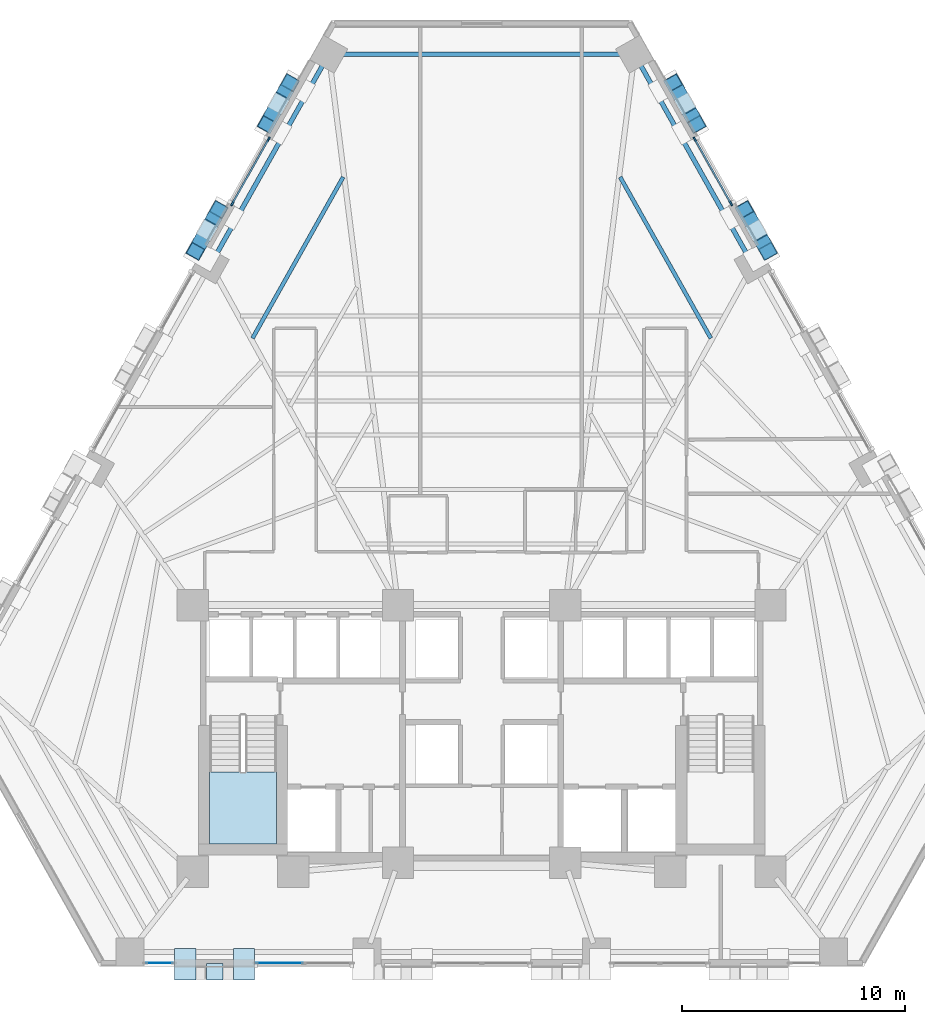
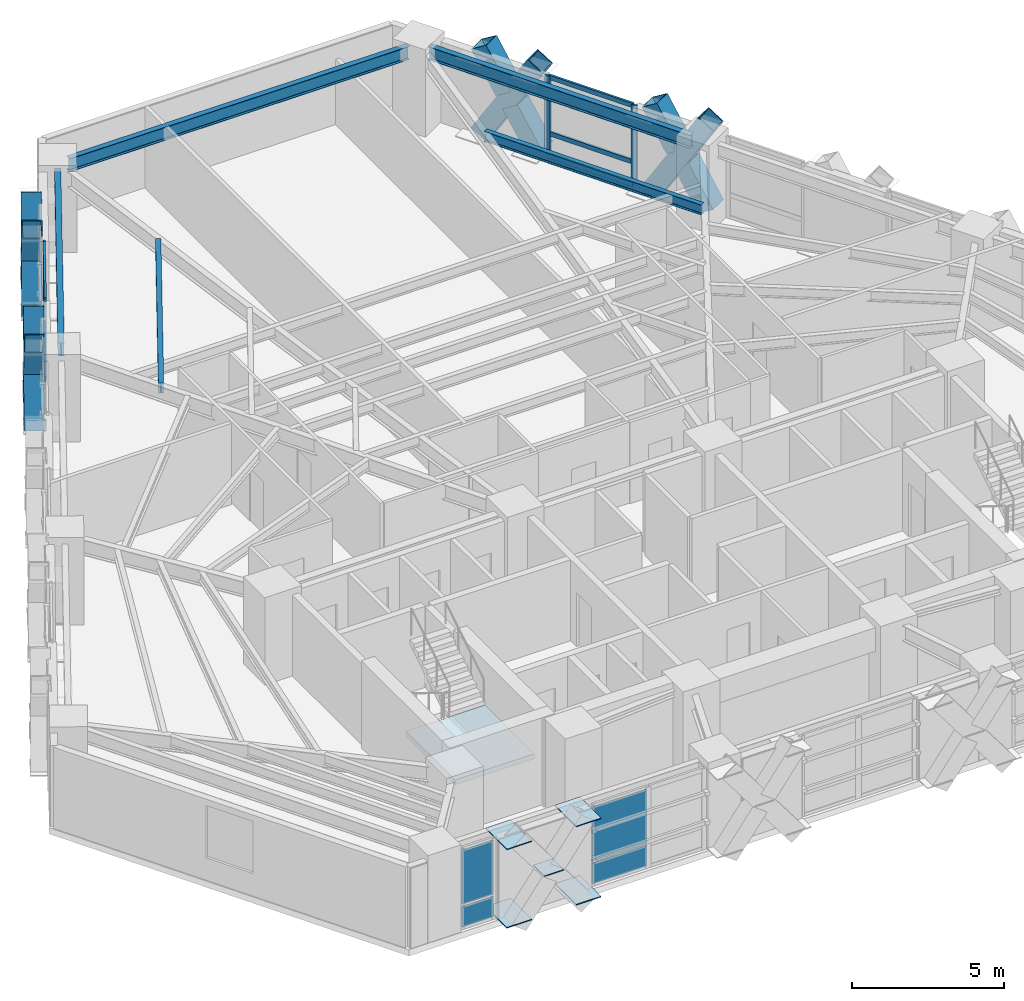
# One storey, part 5 of 13: 22 members, 9 plates, 5 beams, 1 slab, 5 elements without a shape of their own.
"""IFC4 building model written with IfcOpenShell, lengths in metres."""

from ifc_helpers import new_model, si_unit, direction, frame, origin, origin_2d, place, context, subcontext, project, spatial, polyline, rectangle, hollow_rectangle, i_section, outline, extrude, material, layer, layer_set, material_profile, profile_set, type_object, element, aggregate, save


model = new_model("IFC4")

# Units and contexts
model_context = context("Model", 3, precision=1e-05, world=origin(), true_north=direction((0.0, 1.0)))
body_context = subcontext(model_context, "Body", "Model", "MODEL_VIEW")
ifc_project = project(units=[si_unit("LENGTHUNIT", "METRE"), si_unit("AREAUNIT", "SQUARE_METRE"), si_unit("VOLUMEUNIT", "CUBIC_METRE"), si_unit("PLANEANGLEUNIT", "RADIAN"), si_unit("MASSUNIT", "GRAM", prefix="KILO")], contexts=[model_context])

# Site, building, storey
site_placement = place(None, origin())
site = spatial("IfcSite", under=ifc_project, at=site_placement, CompositionType="ELEMENT")
building_placement = place(site_placement, origin())
building = spatial("IfcBuilding", under=site, at=building_placement, Name="Quenlor Broadcast Tower", CompositionType="ELEMENT")
storey_placement = place(building_placement, frame((0.0, 0.0, 62.60009765625)))
storey = spatial("IfcBuildingStorey", under=building, at=storey_placement, Name="L16", CompositionType="ELEMENT", Elevation=62.60009765625)

# Curtain wall, members
ifc_material_1 = material(Name="Architectural Terracotta and Low-E Glazing", Category="masonry")
curtain_wall_type = type_object("IfcCurtainWallType", Name="Unitised Terracotta Curtain Wall System Z1", PredefinedType="NOTDEFINED", material=ifc_material_1)
curtain_wall_1_placement = place(storey_placement, origin())
curtain_wall_1 = element("IfcCurtainWall", 1, at=curtain_wall_1_placement, inside=storey, type_object=curtain_wall_type, Name="L16 Curtain Wall CW1 (L16-NEA-G1)", PredefinedType="NOTDEFINED")
ifc_material_2 = material(Name="Aluminium 6063-T6", Category="aluminium")
ifc_material_profile_1 = material_profile(ifc_material_2, rectangle(XDim=0.080078125, YDim=0.219970703125, at=origin_2d()))
ifc_profile_set_1 = profile_set([ifc_material_profile_1], Name="Aluminium 6063-T6 MULL80x220")
member_type_1 = type_object("IfcMemberType", Name="CW1 Aluminium Mullion MULL_CW1", PredefinedType="MULLION", material=ifc_profile_set_1)
member_1_placement = place(storey_placement, frame((9.55615234375, 16.084716796875, 0.0), z_axis=(0.0, 0.0, 1.0), x_axis=(0.871585015751, 0.49024438836, 0.0)))
member_1 = element("IfcMember", 2, at=member_1_placement, type_object=member_type_1, Name="CW1 mullion 1", PredefinedType="MULLION", context=body_context, shape_type="SweptSolid", body=[
    extrude(rectangle(XDim=0.080078125, YDim=0.219970703125, at=origin_2d()), origin(), (0.0, 0.0, 1.0), 3.25),
])
member_2_placement = place(storey_placement, frame((11.174560546875, 13.207763671875, 0.0), z_axis=(0.0, 0.0, 1.0), x_axis=(0.871585015751, 0.49024438836, 0.0)))
member_2 = element("IfcMember", 3, at=member_2_placement, type_object=member_type_1, Name="CW1 mullion 2", PredefinedType="MULLION", context=body_context, shape_type="SweptSolid", body=[
    extrude(rectangle(XDim=0.080078125, YDim=0.219970703125, at=origin_2d()), origin(), (0.0, 0.0, 1.0), 3.25),
])

curtain_wall_2_placement = place(storey_placement, origin())
curtain_wall_2 = element("IfcCurtainWall", 4, at=curtain_wall_2_placement, inside=storey, type_object=curtain_wall_type, Name="L16 Curtain Wall CW1 (L16-NWC-G1)", PredefinedType="NOTDEFINED")
member_3_placement = place(storey_placement, frame((-11.174560546875, 13.207763671875, 0.0), z_axis=(0.0, 0.0, 1.0), x_axis=(-0.871585015751, 0.49024438836, 0.0)))
member_3 = element("IfcMember", 5, at=member_3_placement, type_object=member_type_1, Name="CW1 mullion 1", PredefinedType="MULLION", context=body_context, shape_type="SweptSolid", body=[
    extrude(rectangle(XDim=0.080078125, YDim=0.219970703125, at=origin_2d()), origin(), (0.0, 0.0, 1.0), 3.25),
])
member_4_placement = place(storey_placement, frame((-9.55615234375, 16.084716796875, 0.0), z_axis=(0.0, 0.0, 1.0), x_axis=(-0.871585015751, 0.49024438836, 0.0)))
member_4 = element("IfcMember", 6, at=member_4_placement, type_object=member_type_1, Name="CW1 mullion 2", PredefinedType="MULLION", context=body_context, shape_type="SweptSolid", body=[
    extrude(rectangle(XDim=0.080078125, YDim=0.219970703125, at=origin_2d()), origin(), (0.0, 0.0, 1.0), 3.25),
])

# Member
ifc_material_3 = material(Name="Aluminium 6063-T6", Category="aluminium")
ifc_material_profile_2 = material_profile(ifc_material_3, rectangle(XDim=0.080078125, YDim=0.179931640625, at=origin_2d()))
ifc_profile_set_2 = profile_set([ifc_material_profile_2], Name="Aluminium 6063-T6 TRAN80x180")
member_type_2 = type_object("IfcMemberType", Name="CW1 Aluminium Transom TRAN_CW1", PredefinedType="USERDEFINED", material=ifc_profile_set_2)
member_5_placement = place(storey_placement, frame((9.575927734375, 16.050048828125, 0.039794921875), z_axis=(0.490192861476, -0.871613996307, 0.0), x_axis=(0.871613996307, 0.490192861476, 0.0)))
member_5 = element("IfcMember", 7, at=member_5_placement, type_object=member_type_2, Name="CW1 transom 1.1", ObjectType="TRANSOM", PredefinedType="USERDEFINED", context=body_context, shape_type="SweptSolid", body=[
    extrude(rectangle(XDim=0.080078125, YDim=0.179931640625, at=origin_2d()), origin(), (0.0, 0.0, 1.0), 3.220947265625),
])

member_6_placement = place(storey_placement, frame((9.575927734375, 16.050048828125, 0.949951171875), z_axis=(0.490192861476, -0.871613996307, 0.0), x_axis=(0.871613996307, 0.490192861476, 0.0)))
member_6 = element("IfcMember", 8, at=member_6_placement, type_object=member_type_2, Name="CW1 transom 1.2", ObjectType="TRANSOM", PredefinedType="USERDEFINED", context=body_context, shape_type="SweptSolid", body=[
    extrude(rectangle(XDim=0.080078125, YDim=0.179931640625, at=origin_2d()), origin(), (0.0, 0.0, 1.0), 3.220947265625),
])

member_7_placement = place(storey_placement, frame((9.575927734375, 16.050048828125, 3.2099609375), z_axis=(0.490192861476, -0.871613996307, 0.0), x_axis=(0.871613996307, 0.490192861476, 0.0)))
member_7 = element("IfcMember", 9, at=member_7_placement, type_object=member_type_2, Name="CW1 transom 1.3", ObjectType="TRANSOM", PredefinedType="USERDEFINED", context=body_context, shape_type="SweptSolid", body=[
    extrude(rectangle(XDim=0.080078125, YDim=0.179931640625, at=origin_2d()), origin(), (0.0, 0.0, 1.0), 3.220947265625),
])

aggregate(curtain_wall_1, [member_1, member_2, member_5, member_6, member_7])

member_8_placement = place(storey_placement, frame((-11.15478515625, 13.24267578125, 0.039794921875), z_axis=(0.490192861476, 0.871613996307, 0.0), x_axis=(-0.871613996307, 0.490192861476, 0.0)))
member_8 = element("IfcMember", 10, at=member_8_placement, type_object=member_type_2, Name="CW1 transom 1.1", ObjectType="TRANSOM", PredefinedType="USERDEFINED", context=body_context, shape_type="SweptSolid", body=[
    extrude(rectangle(XDim=0.080078125, YDim=0.179931640625, at=origin_2d()), origin(), (0.0, 0.0, 1.0), 3.220947265625),
])

member_9_placement = place(storey_placement, frame((-11.15478515625, 13.24267578125, 0.949951171875), z_axis=(0.490192861476, 0.871613996307, 0.0), x_axis=(-0.871613996307, 0.490192861476, 0.0)))
member_9 = element("IfcMember", 11, at=member_9_placement, type_object=member_type_2, Name="CW1 transom 1.2", ObjectType="TRANSOM", PredefinedType="USERDEFINED", context=body_context, shape_type="SweptSolid", body=[
    extrude(rectangle(XDim=0.080078125, YDim=0.179931640625, at=origin_2d()), origin(), (0.0, 0.0, 1.0), 3.220947265625),
])

member_10_placement = place(storey_placement, frame((-11.15478515625, 13.24267578125, 3.2099609375), z_axis=(0.490192861476, 0.871613996307, 0.0), x_axis=(-0.871613996307, 0.490192861476, 0.0)))
member_10 = element("IfcMember", 12, at=member_10_placement, type_object=member_type_2, Name="CW1 transom 1.3", ObjectType="TRANSOM", PredefinedType="USERDEFINED", context=body_context, shape_type="SweptSolid", body=[
    extrude(rectangle(XDim=0.080078125, YDim=0.179931640625, at=origin_2d()), origin(), (0.0, 0.0, 1.0), 3.220947265625),
])

aggregate(curtain_wall_2, [member_3, member_4, member_8, member_9, member_10])

# Members
ifc_material_4 = material(Name="Steel S355", Category="steel")
ifc_material_profile_3 = material_profile(ifc_material_4, hollow_rectangle(XDim=0.679931640625, YDim=0.679931640625, WallThickness=0.034912109375, at=origin_2d()))
ifc_profile_set_3 = profile_set([ifc_material_profile_3], Name="Steel S355 RHS680x680x35")
member_type_3 = type_object("IfcMemberType", Name="Perimeter Diagonal Lattice Brace Z1 Steel S355 RHS680x35", PredefinedType="BRACE", material=ifc_profile_set_3)
member_11_placement = place(storey_placement, frame((8.584716796875, 18.617431640625, -0.1201171875), z_axis=(0.25642393936, -0.455831751234, 0.852328679495), x_axis=(0.871560357306, 0.490288224998, 0.0)))
element("IfcMember", 13, at=member_11_placement, inside=storey, type_object=member_type_3, Name="L16 Perimeter Diamond Lattice NE-C1XA", PredefinedType="BRACE", context=body_context, shape_type="SweptSolid", body=[
    extrude(hollow_rectangle(XDim=0.679931640625, YDim=0.679931640625, WallThickness=0.034912109375, at=origin_2d()), origin(), (0.0, 0.0, 1.0), 4.1064453125),
])
for number, where, z_axis, x_axis, name in (
    (14, (9.6376953125, 16.74560546875, -0.1201171875), (-0.256435894674, 0.455870991217, 0.852304095549), (-0.871568623966, -0.49027352949, 0.0), "L16 Perimeter Diamond Lattice NE-C1XB1"),
    (15, (9.047119140625, 17.79541015625, 1.843017578125), (-0.256435894674, 0.455870991217, 0.852304095549), (-0.871568623966, -0.49027352949, 0.0), "L16 Perimeter Diamond Lattice NE-C1XB2"),
):
    element("IfcMember", number, at=place(storey_placement, frame(where, z_axis=z_axis, x_axis=x_axis)), inside=storey, type_object=member_type_3, Name=name, PredefinedType="BRACE", context=body_context, shape_type="SweptSolid", body=[
        extrude(hollow_rectangle(XDim=0.679931640625, YDim=0.679931640625, WallThickness=0.034912109375, at=origin_2d()), origin(), (0.0, 0.0, 1.0), 1.80322265625),
    ])
member_12_placement = place(storey_placement, frame((11.781494140625, 12.93408203125, -0.1201171875), z_axis=(0.256430888508, -0.455784649039, 0.8523517778), x_axis=(0.871533027316, 0.490336804959, 0.0)))
element("IfcMember", 16, at=member_12_placement, inside=storey, type_object=member_type_3, Name="L16 Perimeter Diamond Lattice NE-C2XA", PredefinedType="BRACE", context=body_context, shape_type="SweptSolid", body=[
    extrude(hollow_rectangle(XDim=0.679931640625, YDim=0.679931640625, WallThickness=0.034912109375, at=origin_2d()), origin(), (0.0, 0.0, 1.0), 4.106201171875),
])
member_13_placement = place(storey_placement, frame((12.83447265625, 11.0625, -0.1201171875), z_axis=(-0.256435894674, 0.455870991217, 0.852304095549), x_axis=(-0.871568623966, -0.49027352949, 0.0)))
element("IfcMember", 17, at=member_13_placement, inside=storey, type_object=member_type_3, Name="L16 Perimeter Diamond Lattice NE-C2XB1", PredefinedType="BRACE", context=body_context, shape_type="SweptSolid", body=[
    extrude(hollow_rectangle(XDim=0.679931640625, YDim=0.679931640625, WallThickness=0.034912109375, at=origin_2d()), origin(), (0.0, 0.0, 1.0), 1.80322265625),
])
member_14_placement = place(storey_placement, frame((12.243896484375, 12.1123046875, 1.843017578125), z_axis=(-0.256451721554, 0.455763724789, 0.852356698618), x_axis=(-0.871506382136, -0.490384161547, 0.0)))
element("IfcMember", 18, at=member_14_placement, inside=storey, type_object=member_type_3, Name="L16 Perimeter Diamond Lattice NE-C2XB2", PredefinedType="BRACE", context=body_context, shape_type="SweptSolid", body=[
    extrude(hollow_rectangle(XDim=0.679931640625, YDim=0.679931640625, WallThickness=0.034912109375, at=origin_2d()), origin(), (0.0, 0.0, 1.0), 1.802978515625),
])
member_15_placement = place(storey_placement, frame((-12.83447265625, 11.0625, -0.1201171875), z_axis=(0.256430888508, 0.455784649039, 0.8523517778), x_axis=(-0.871533027316, 0.490336804959, 0.0)))
element("IfcMember", 19, at=member_15_placement, inside=storey, type_object=member_type_3, Name="L16 Perimeter Diamond Lattice NW-C4XA", PredefinedType="BRACE", context=body_context, shape_type="SweptSolid", body=[
    extrude(hollow_rectangle(XDim=0.679931640625, YDim=0.679931640625, WallThickness=0.034912109375, at=origin_2d()), origin(), (0.0, 0.0, 1.0), 4.106201171875),
])
member_16_placement = place(storey_placement, frame((-11.781494140625, 12.93408203125, -0.1201171875), z_axis=(-0.256451721554, -0.455763724789, 0.852356698618), x_axis=(0.871506382136, -0.490384161547, 0.0)))
element("IfcMember", 20, at=member_16_placement, inside=storey, type_object=member_type_3, Name="L16 Perimeter Diamond Lattice NW-C4XB1", PredefinedType="BRACE", context=body_context, shape_type="SweptSolid", body=[
    extrude(hollow_rectangle(XDim=0.679931640625, YDim=0.679931640625, WallThickness=0.034912109375, at=origin_2d()), origin(), (0.0, 0.0, 1.0), 1.802978515625),
])
member_17_placement = place(storey_placement, frame((-12.3720703125, 11.884521484375, 1.843017578125), z_axis=(-0.256435894674, -0.455870991217, 0.852304095549), x_axis=(0.871568623966, -0.49027352949, 0.0)))
element("IfcMember", 21, at=member_17_placement, inside=storey, type_object=member_type_3, Name="L16 Perimeter Diamond Lattice NW-C4XB2", PredefinedType="BRACE", context=body_context, shape_type="SweptSolid", body=[
    extrude(hollow_rectangle(XDim=0.679931640625, YDim=0.679931640625, WallThickness=0.034912109375, at=origin_2d()), origin(), (0.0, 0.0, 1.0), 1.80322265625),
])
member_18_placement = place(storey_placement, frame((-9.6376953125, 16.74560546875, -0.1201171875), z_axis=(0.25642393936, 0.455831751234, 0.852328679495), x_axis=(-0.871560357306, 0.490288224998, 0.0)))
element("IfcMember", 22, at=member_18_placement, inside=storey, type_object=member_type_3, Name="L16 Perimeter Diamond Lattice NW-C5XA", PredefinedType="BRACE", context=body_context, shape_type="SweptSolid", body=[
    extrude(hollow_rectangle(XDim=0.679931640625, YDim=0.679931640625, WallThickness=0.034912109375, at=origin_2d()), origin(), (0.0, 0.0, 1.0), 4.1064453125),
])
for number, where, z_axis, x_axis, name in (
    (23, (-8.584716796875, 18.617431640625, -0.1201171875), (-0.256435894674, -0.455870991217, 0.852304095549), (0.871568623966, -0.49027352949, 0.0), "L16 Perimeter Diamond Lattice NW-C5XB1"),
    (24, (-9.17529296875, 17.567626953125, 1.843017578125), (-0.256435894674, -0.455870991217, 0.852304095549), (0.871568623966, -0.49027352949, 0.0), "L16 Perimeter Diamond Lattice NW-C5XB2"),
):
    element("IfcMember", number, at=place(storey_placement, frame(where, z_axis=z_axis, x_axis=x_axis)), inside=storey, type_object=member_type_3, Name=name, PredefinedType="BRACE", context=body_context, shape_type="SweptSolid", body=[
        extrude(hollow_rectangle(XDim=0.679931640625, YDim=0.679931640625, WallThickness=0.034912109375, at=origin_2d()), origin(), (0.0, 0.0, 1.0), 1.80322265625),
    ])

# Beams
ifc_material_5 = material(Name="Steel S355", Category="steel")
ifc_material_profile_4 = material_profile(ifc_material_5, i_section(OverallWidth=0.208984375, OverallDepth=0.532958984375, WebThickness=0.01025390625, FlangeThickness=0.015625, FilletRadius=0.013916015625, at=origin_2d()))
ifc_profile_set_4 = profile_set([ifc_material_profile_4], Name="Steel S355 530UB92.4")
beam_type_1 = type_object("IfcBeamType", Name="Perimeter Spandrel Beam Z1 Steel S355 530UB92.4", PredefinedType="SPANDREL", material=ifc_profile_set_4)
beam_1_placement = place(storey_placement, frame((11.962158203125, 10.80810546875, 2.9833984375), z_axis=(-0.490257767622, 0.871577490121, 0.0), x_axis=(-0.871577490121, -0.490257767622, 0.0)))
element("IfcBeam", 25, at=beam_1_placement, inside=storey, type_object=beam_type_1, Name="L16 Spandrel Beam NE3-NE4", PredefinedType="SPANDREL", context=body_context, shape_type="SweptSolid", body=[
    extrude(i_section(OverallWidth=0.208984375, OverallDepth=0.532958984375, WebThickness=0.01025390625, FlangeThickness=0.015625, FilletRadius=0.013916015625, at=origin_2d()), origin(), (0.0, 0.0, 1.0), 10.015380859375),
])
beam_2_placement = place(storey_placement, frame((6.44091796875, 19.894775390625, 2.9833984375), z_axis=(-1.0, 0.0, 0.0), x_axis=(0.0, -1.0, 0.0)))
element("IfcBeam", 26, at=beam_2_placement, inside=storey, type_object=beam_type_1, Name="L16 Spandrel Beam NE4-NW1", PredefinedType="SPANDREL", context=body_context, shape_type="SweptSolid", body=[
    extrude(i_section(OverallWidth=0.208984375, OverallDepth=0.532958984375, WebThickness=0.01025390625, FlangeThickness=0.015625, FilletRadius=0.013916015625, at=origin_2d()), origin(), (0.0, 0.0, 1.0), 12.8818359375),
])
beam_3_placement = place(storey_placement, frame((-7.052001953125, 19.537353515625, 2.9833984375), z_axis=(-0.490257767622, -0.871577490121, 0.0), x_axis=(0.871577490121, -0.490257767622, 0.0)))
element("IfcBeam", 27, at=beam_3_placement, inside=storey, type_object=beam_type_1, Name="L16 Spandrel Beam NW1-NW2", PredefinedType="SPANDREL", context=body_context, shape_type="SweptSolid", body=[
    extrude(i_section(OverallWidth=0.208984375, OverallDepth=0.532958984375, WebThickness=0.01025390625, FlangeThickness=0.015625, FilletRadius=0.013916015625, at=origin_2d()), origin(), (0.0, 0.0, 1.0), 10.015380859375),
])
ifc_material_6 = material(Name="Steel S355", Category="steel")
ifc_material_profile_5 = material_profile(ifc_material_6, i_section(OverallWidth=0.177978515625, OverallDepth=0.406494140625, WebThickness=0.0078125, FlangeThickness=0.0126953125, FilletRadius=0.011474609375, at=origin_2d()))
ifc_profile_set_5 = profile_set([ifc_material_profile_5], Name="Steel S355 410UB59.7")
beam_type_2 = type_object("IfcBeamType", Name="Tower Composite Joist Z1 Steel S355 410UB59.7", PredefinedType="JOIST", material=ifc_profile_set_5)
for number, where, z_axis, x_axis, name in (
    (28, (-6.2080078125, 14.39208984375, 3.046630859375), (-0.490248658014, -0.871582614166, 0.0), (0.871582614166, -0.490248658014, 0.0), "L16 Secondary Composite Joist 27"),
    (29, (6.2080078125, 14.39208984375, 3.046630859375), (0.490248658014, -0.871582614166, 0.0), (0.871582614166, 0.490248658014, 0.0), "L16 Secondary Composite Joist 30"),
):
    element("IfcBeam", number, at=place(storey_placement, frame(where, z_axis=z_axis, x_axis=x_axis)), inside=storey, type_object=beam_type_2, Name=name, PredefinedType="JOIST", context=body_context, shape_type="SweptSolid", body=[
        extrude(i_section(OverallWidth=0.177978515625, OverallDepth=0.406494140625, WebThickness=0.0078125, FlangeThickness=0.0126953125, FilletRadius=0.011474609375, at=origin_2d()), origin(), (0.0, 0.0, 1.0), 8.29150390625),
    ])

# Curtain wall, plates
curtain_wall_3_placement = place(storey_placement, origin())
curtain_wall_3 = element("IfcCurtainWall", 30, at=curtain_wall_3_placement, inside=storey, type_object=curtain_wall_type, Name="L16 Curtain Wall CW1 (L16-SC-G1)", PredefinedType="NOTDEFINED")
ifc_material_7 = material(Name="Double Glazed Low-E Solar Glass", Category="glass")
ifc_layer_1 = layer(ifc_material_7, 0.031982421875)
ifc_layer_set_1 = layer_set([ifc_layer_1], Name="CW1 Double Glazed Vision Panel 32")
plate_type_1 = type_object("IfcPlateType", Name="CW1 Double Glazed Vision Panel 32", PredefinedType="CURTAIN_PANEL", material=ifc_layer_set_1)
plate_1_placement = place(storey_placement, frame((-9.058837890625, -20.840087890625, 0.079833984375), z_axis=(0.0, 0.0, 1.0), x_axis=(-1.0, 0.0, 0.0)))
plate_1 = element("IfcPlate", 31, at=plate_1_placement, type_object=plate_type_1, Name="CW1 panel 2.1", PredefinedType="CURTAIN_PANEL", context=body_context, shape_type="SweptSolid", body=[
    extrude(rectangle(XDim=2.072021484375, YDim=0.031982421875, at=origin_2d()), origin(), (0.0, 0.0, 1.0), 0.830078125),
])
plate_2_placement = place(storey_placement, frame((-9.058837890625, -20.840087890625, 0.98974609375), z_axis=(0.0, 0.0, 1.0), x_axis=(-1.0, 0.0, 0.0)))
plate_2 = element("IfcPlate", 32, at=plate_2_placement, type_object=plate_type_1, Name="CW1 panel 2.2", PredefinedType="CURTAIN_PANEL", context=body_context, shape_type="SweptSolid", body=[
    extrude(rectangle(XDim=2.072021484375, YDim=0.031982421875, at=origin_2d()), origin(), (0.0, 0.0, 1.0), 2.179931640625),
])
aggregate(curtain_wall_3, [plate_1, plate_2])

curtain_wall_4_placement = place(storey_placement, origin())
curtain_wall_4 = element("IfcCurtainWall", 33, at=curtain_wall_4_placement, inside=storey, type_object=curtain_wall_type, Name="L16 Curtain Wall CW1 (L16-SC-G2)", PredefinedType="NOTDEFINED")
plate_3_placement = place(storey_placement, frame((-14.44091796875, -20.840087890625, 0.079833984375), z_axis=(0.0, 0.0, 1.0), x_axis=(-1.0, 0.0, 0.0)))
plate_3 = element("IfcPlate", 34, at=plate_3_placement, type_object=plate_type_1, Name="CW1 panel 1.1", PredefinedType="CURTAIN_PANEL", context=body_context, shape_type="SweptSolid", body=[
    extrude(rectangle(XDim=1.188232421875, YDim=0.031982421875, at=origin_2d()), origin(), (0.0, 0.0, 1.0), 0.830078125),
])
plate_4_placement = place(storey_placement, frame((-14.44091796875, -20.840087890625, 0.98974609375), z_axis=(0.0, 0.0, 1.0), x_axis=(-1.0, 0.0, 0.0)))
plate_4 = element("IfcPlate", 35, at=plate_4_placement, type_object=plate_type_1, Name="CW1 panel 1.2", PredefinedType="CURTAIN_PANEL", context=body_context, shape_type="SweptSolid", body=[
    extrude(rectangle(XDim=1.188232421875, YDim=0.031982421875, at=origin_2d()), origin(), (0.0, 0.0, 1.0), 2.179931640625),
])
aggregate(curtain_wall_4, [plate_3, plate_4])

# Plate
ifc_material_8 = material(Name="Steel S355", Category="steel")
ifc_layer_2 = layer(ifc_material_8, 0.028076171875)
ifc_layer_set_2 = layer_set([ifc_layer_2], Name="Perimeter Lattice Node Steel S355 Cap Plate 740x740x28")
plate_type_2 = type_object("IfcPlateType", Name="Perimeter Lattice Node Steel S355 Cap Plate 740x740x28", PredefinedType="USERDEFINED", material=ifc_layer_set_2)
plate_5_placement = place(storey_placement, frame((-11.970703125, -21.235107421875, 1.61572265625), z_axis=(0.0, 0.0, 1.0), x_axis=(-1.0, 0.0, 0.0)))
element("IfcPlate", 36, at=plate_5_placement, inside=storey, type_object=plate_type_2, Name="L16 Diamond Lattice Crossing Node S-C4", ObjectType="CAP PLATE", PredefinedType="USERDEFINED", context=body_context, shape_type="SweptSolid", body=[
    extrude(rectangle(XDim=0.739990234375, YDim=0.739990234375, at=origin_2d()), origin(), (0.0, 0.0, 1.0), 0.028076171875),
])

# Stair, slab
ifc_material_9 = material(Name="Precast concrete C40/50", Category="concrete")
stair_type = type_object("IfcStairType", Name="Precast Concrete C40/50 Dogleg Stair H350", PredefinedType="HALF_TURN_STAIR", material=ifc_material_9)
stair_placement = place(storey_placement, origin())
stair = element("IfcStair", 37, at=stair_placement, inside=storey, type_object=stair_type, Name="L16 West Core Fire-Isolated Exit Stair ST-1", PredefinedType="HALF_TURN_STAIR")
ifc_material_10 = material(Name="Precast concrete C40/50", Category="concrete")
ifc_layer_3 = layer(ifc_material_10, 0.199951171875)
ifc_layer_set_3 = layer_set([ifc_layer_3], Name="Precast Concrete C40/50 Stair Landing Slab 200")
slab_type = type_object("IfcSlabType", Name="Precast Concrete C40/50 Stair Landing Slab 200", PredefinedType="LANDING", material=ifc_layer_set_3)
slab_placement = place(storey_placement, frame((0.0, 0.0, 1.5498046875)))
slab = element("IfcSlab", 38, at=slab_placement, type_object=slab_type, Name="ST-1 landing 1", PredefinedType="LANDING", context=body_context, shape_type="SweptSolid", body=[
    extrude(outline(polyline([(-12.199951171875, -12.27001953125), (-12.199951171875, -15.5), (-9.199951171875, -15.5), (-9.199951171875, -12.27001953125), (-12.199951171875, -12.27001953125)])), origin(), (0.0, 0.0, 1.0), 0.2001953125),
])
aggregate(stair, [slab])

# Plates
ifc_material_11 = material(Name="Steel S355", Category="steel")
ifc_layer_4 = layer(ifc_material_11, 0.035888671875)
ifc_layer_set_4 = layer_set([ifc_layer_4], Name="Transfer Truss Steel S355 Gusset Node Plate 1400x950x36")
plate_type_3 = type_object("IfcPlateType", Name="Transfer Truss Steel S355 Gusset Node Plate 1400x950x36", PredefinedType="SHEET", material=ifc_layer_set_4)
for number, where, z_axis, x_axis, name in (
    (39, (-10.656494140625, -20.89990234375, 0.0419921875), (0.0, 0.0, 1.0), (0.0, -1.0, 0.0), "L16 Lattice Tie Gusset Node S-B10"),
    (40, (-13.284912109375, -20.89990234375, 3.18212890625), (0.0, 0.0, 1.0), (0.0, -1.0, 0.0), "L16 Lattice Tie Gusset Node S-T11"),
    (41, (-13.284912109375, -20.89990234375, 0.0419921875), (0.0, 0.0, 1.0), (0.0, -1.0, 0.0), "L16 Lattice Tie Gusset Node S-B11"),
    (42, (-10.656494140625, -20.89990234375, 3.18212890625), (0.0, 0.0, 1.0), (0.0, -1.0, 0.0), "L16 Lattice Tie Gusset Node S-T10"),
):
    element("IfcPlate", number, at=place(storey_placement, frame(where, z_axis=z_axis, x_axis=x_axis)), inside=storey, type_object=plate_type_3, Name=name, PredefinedType="SHEET", context=body_context, shape_type="SweptSolid", body=[
        extrude(rectangle(XDim=1.39990234375, YDim=0.949951171875, at=origin_2d()), origin(), (0.0, 0.0, 1.0), 0.035888671875),
    ])

save(model, "model.ifc")
